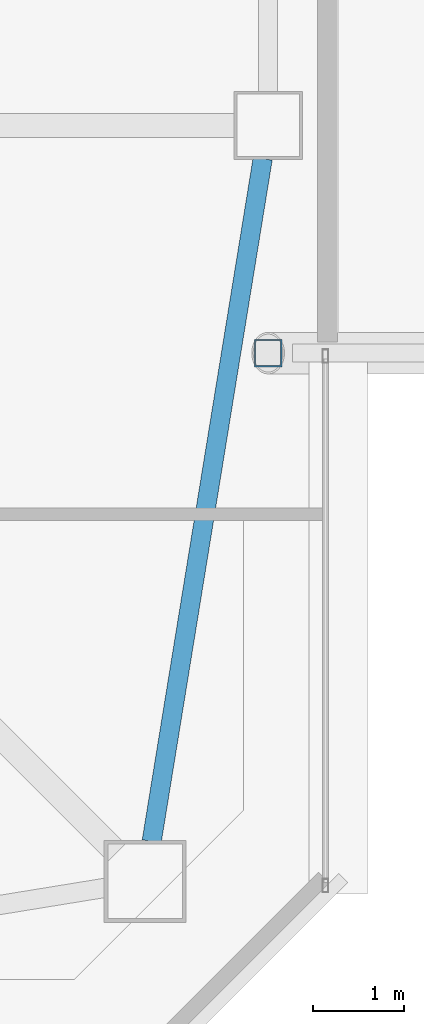
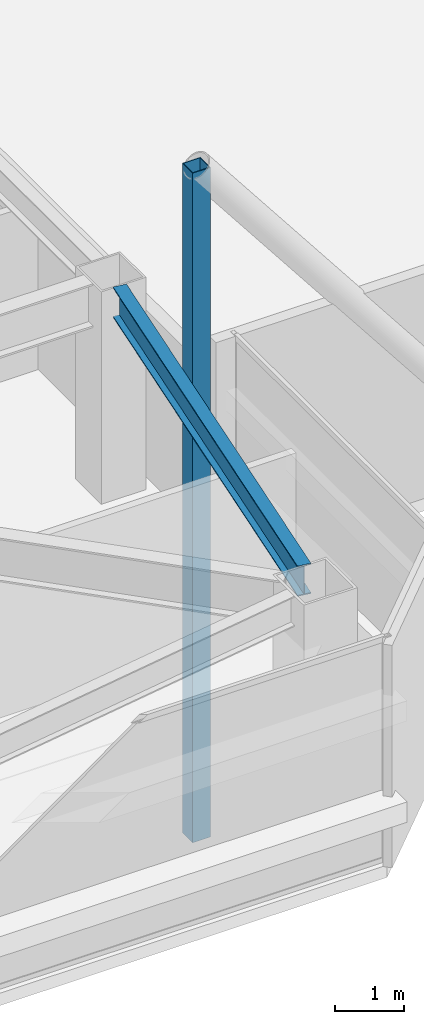
# One storey, part 12 of 53: 1 beam, 1 member.
"""IFC4 building model written with IfcOpenShell, lengths in metres."""

from ifc_helpers import new_model, si_unit, direction, frame, origin, origin_2d, place, context, subcontext, project, spatial, hollow_rectangle, i_section, extrude, material, material_profile, profile_set, type_object, element, save


model = new_model("IFC4")

# Units and contexts
model_context = context("Model", 3, precision=1e-05, world=origin(), true_north=direction((0.0, 1.0)))
body_context = subcontext(model_context, "Body", "Model", "MODEL_VIEW")
ifc_project = project(units=[si_unit("LENGTHUNIT", "METRE"), si_unit("AREAUNIT", "SQUARE_METRE"), si_unit("VOLUMEUNIT", "CUBIC_METRE"), si_unit("PLANEANGLEUNIT", "RADIAN"), si_unit("MASSUNIT", "GRAM", prefix="KILO")], contexts=[model_context])

# Site, building, storey
site_placement = place(None, origin())
site = spatial("IfcSite", under=ifc_project, at=site_placement, CompositionType="ELEMENT")
building_placement = place(site_placement, origin())
building = spatial("IfcBuilding", under=site, at=building_placement, Name="Tashvorn Skyway Center", CompositionType="ELEMENT")
storey_placement = place(building_placement, frame((0.0, 0.0, 255.39990234375)))
storey = spatial("IfcBuildingStorey", under=building, at=storey_placement, Name="L69", CompositionType="ELEMENT", Elevation=255.39990234375)

# Beam
ifc_material_1 = material(Name="Steel ASTM A992 Grade 50", Category="steel")
ifc_material_profile_1 = material_profile(ifc_material_1, i_section(OverallWidth=0.2109375, OverallDepth=0.5390625, WebThickness=0.01171875, FlangeThickness=0.018798828125, at=origin_2d()), Name="W21X73")
ifc_profile_set_1 = profile_set([ifc_material_profile_1], Name="Steel ASTM A992 Grade 50")
beam_type = type_object("IfcBeamType", Name="BM-SPANDREL-W21X73", PredefinedType="SPANDREL", material=ifc_profile_set_1)
beam_placement = place(storey_placement, frame((55.771484375, 18.7392578125, 3.510498046875), z_axis=(0.160519005885, 0.987032749583, 0.0), x_axis=(-0.987032749583, 0.160519005885, 0.0)))
element("IfcBeam", 1, at=beam_placement, inside=storey, type_object=beam_type, Name="Tower 1 L69 Spandrel Beam 04", PredefinedType="SPANDREL", context=body_context, shape_type="SweptSolid", body=[
    extrude(i_section(OverallWidth=0.2109375, OverallDepth=0.5390625, WebThickness=0.01171875, FlangeThickness=0.018798828125, at=origin_2d()), origin(), (0.0, 0.0, 1.0), 7.593994140625),
])

# Member
ifc_material_2 = material(Name="Steel ASTM A572 Grade 50", Category="steel")
ifc_material_profile_2 = material_profile(ifc_material_2, hollow_rectangle(XDim=0.300048828125, YDim=0.300048828125, WallThickness=0.012451171875, at=origin_2d()), Name="HSS300x300x12.5")
ifc_profile_set_2 = profile_set([ifc_material_profile_2], Name="Steel ASTM A572 Grade 50")
member_type = type_object("IfcMemberType", Name="MEM-SP-PST-300", PredefinedType="POST", material=ifc_profile_set_2)
member_placement = place(storey_placement, frame((57.050048828125, 24.10009765625, -4.725341796875), z_axis=(0.0, 0.0, 1.0), x_axis=(1.0, 0.0, 0.0)))
element("IfcMember", 2, at=member_placement, inside=storey, type_object=member_type, Name="Sky-Park Truss 1 Vertical Post 06", PredefinedType="POST", context=body_context, shape_type="SweptSolid", body=[
    extrude(hollow_rectangle(XDim=0.300048828125, YDim=0.300048828125, WallThickness=0.012451171875, at=origin_2d()), origin(), (0.0, 0.0, 1.0), 11.919921875),
])

save(model, "model.ifc")
